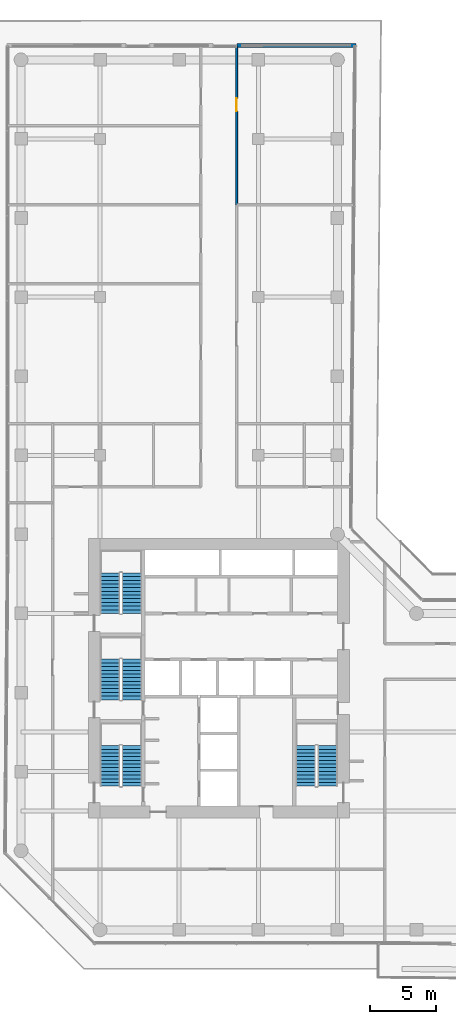
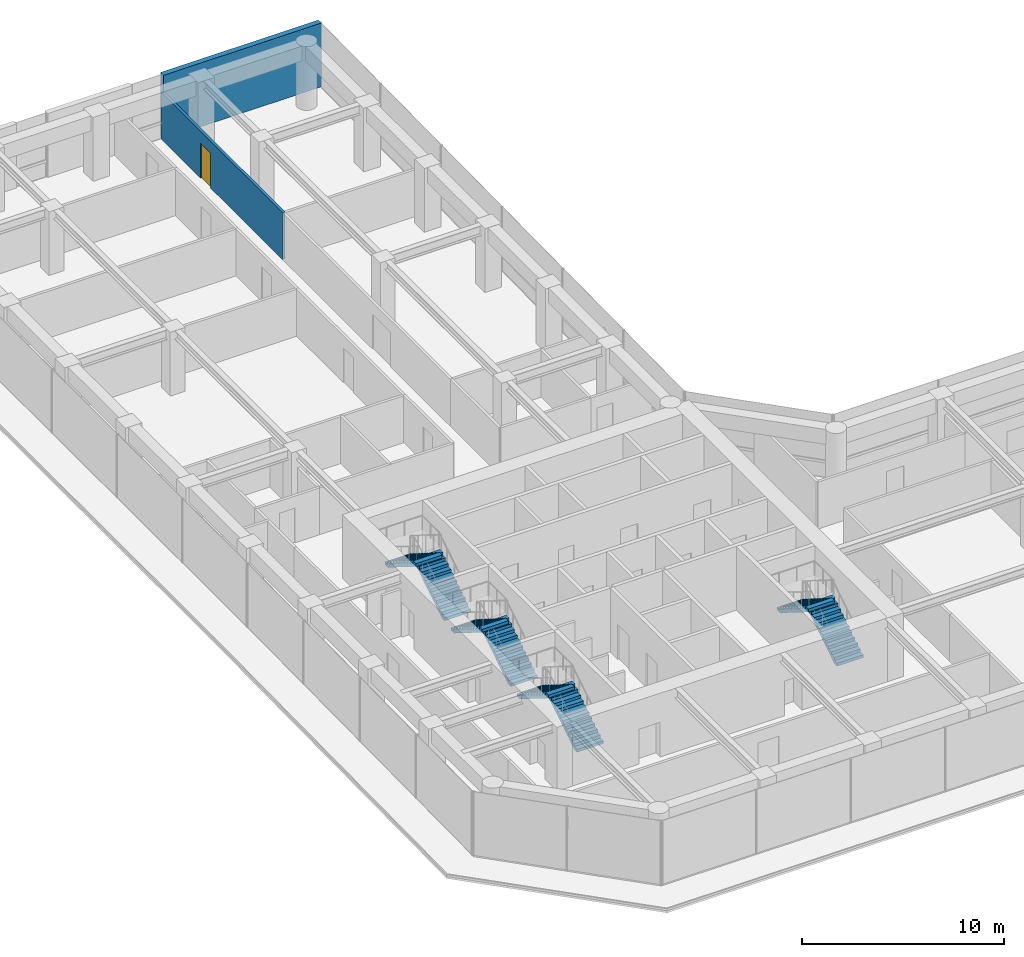
# One storey, part 27 of 29: 8 stair flights, 2 walls, 1 door, 1 opening, 4 elements without a shape of their own.
"""IFC4 building model written with IfcOpenShell, lengths in metres."""

from ifc_helpers import new_model, si_unit, direction, frame, frame_2d, origin, place, context, subcontext, project, spatial, polyline, rectangle, outline, extrude, material, layer, layer_set, type_object, element, fill, aggregate, save


model = new_model("IFC4")

# Units and contexts
model_context = context("Model", 3, precision=1e-05, world=origin(), true_north=direction((0.0, 1.0)))
body_context = subcontext(model_context, "Body", "Model", "MODEL_VIEW")
ifc_project = project(units=[si_unit("LENGTHUNIT", "METRE"), si_unit("AREAUNIT", "SQUARE_METRE"), si_unit("VOLUMEUNIT", "CUBIC_METRE"), si_unit("PLANEANGLEUNIT", "RADIAN"), si_unit("MASSUNIT", "GRAM", prefix="KILO")], contexts=[model_context])

# Site, building, storey
site_placement = place(None, origin())
site = spatial("IfcSite", under=ifc_project, at=site_placement, CompositionType="ELEMENT")
building_placement = place(site_placement, origin())
building = spatial("IfcBuilding", under=site, at=building_placement, Name="Welwitschia Terrace Campus", CompositionType="ELEMENT")
storey_placement = place(building_placement, frame((0.0, 0.0, 50.0)))
storey = spatial("IfcBuildingStorey", under=building, at=storey_placement, Name="L11", CompositionType="ELEMENT", Elevation=50.0)

# Wall, opening, door
ifc_material_1 = material(Name="Gypsum board on steel studs", Category="steel")
ifc_layer_1 = layer(ifc_material_1, 0.14990234375)
ifc_layer_set_1 = layer_set([ifc_layer_1], Name="Gypsum board on steel studs")
wall_type_1 = type_object("IfcWallType", Name="Corridor partition 150 EI 30", PredefinedType="PARTITIONING", material=ifc_layer_set_1)
wall_1_placement = place(storey_placement, frame((16.35009765625, 63.005126953125, 0.0), z_axis=(0.0, 0.0, 1.0), x_axis=(0.0, -1.0, 0.0)))
wall_1 = element("IfcWall", 1, at=wall_1_placement, inside=storey, type_object=wall_type_1, Name="Partition", PredefinedType="PARTITIONING", context=body_context, shape_type="SweptSolid", body=[
    extrude(rectangle(XDim=12.005126953125, YDim=0.14990234375, at=frame_2d((6.00244140625, 0.0))), origin(), (0.0, 0.0, 1.0), 2.830078125),
])
opening_placement = place(wall_1_placement, frame((3.905029296875, 0.0, 0.0)))
opening = element("IfcOpeningElement", 2, at=opening_placement, cuts=wall_1, Name="Opening DI10", PredefinedType="OPENING", context=body_context, shape_type="SweptSolid", body=[
    extrude(rectangle(XDim=1.0, YDim=2.10009765625, at=frame_2d((0.5, 1.050048828125))), frame((0.0, 0.0849609375, 0.0), z_axis=(0.0, -1.0, 0.0), x_axis=(1.0, 0.0, 0.0)), (0.0, 0.0, 1.0), 0.169921875),
])
ifc_material_2 = material(Name="Timber veneered door", Category="wood")
door_type = type_object("IfcDoorType", Name="Interior door DI10", OperationType="NOTDEFINED", PredefinedType="DOOR", material=ifc_material_2)
door_placement = place(opening_placement, origin())
door = element("IfcDoor", 3, at=door_placement, inside=storey, type_object=door_type, Name="Door L11 256", OperationType="SINGLE_SWING_LEFT", OverallHeight=2.10009765625, OverallWidth=1.0, PredefinedType="DOOR", context=body_context, shape_type="SweptSolid", body=[
    extrude(rectangle(XDim=1.0, YDim=2.10009765625, at=frame_2d((0.5, 1.050048828125))), frame((0.0, 0.02490234375, 0.0), z_axis=(0.0, -1.0, 0.0), x_axis=(1.0, 0.0, 0.0)), (0.0, 0.0, 1.0), 0.050048828125),
])
fill(opening, door)

# Wall
ifc_material_3 = material(Name="Concrete C40/50", Category="concrete")
ifc_layer_2 = layer(ifc_material_3, 0.300048828125)
ifc_layer_set_2 = layer_set([ifc_layer_2], Name="Concrete C40/50")
wall_type_2 = type_object("IfcWallType", Name="Mass wall 300", PredefinedType="SOLIDWALL", material=ifc_layer_set_2)
wall_2_placement = place(storey_placement, frame((25.396484375, 63.092041015625, 0.0), z_axis=(0.0, 0.0, 1.0), x_axis=(-0.999999752409, -0.000703691501, 0.0)))
element("IfcWall", 4, at=wall_2_placement, inside=storey, type_object=wall_type_2, Name="Mass wall L11.9.0", PredefinedType="SOLIDWALL", context=body_context, shape_type="SweptSolid", body=[
    extrude(rectangle(XDim=9.0205078125, YDim=0.300048828125, at=frame_2d((4.51025390625, 0.0))), origin(), (0.0, 0.0, 1.0), 3.85009765625),
])

# Stair, stair flights
ifc_material_4 = material(Name="Concrete C40/50", Category="concrete")
stair_type = type_object("IfcStairType", Name="Stair 24R 175 W1500", PredefinedType="HALF_TURN_STAIR", material=ifc_material_4)
stair_1_placement = place(storey_placement, origin())
stair_1 = element("IfcStair", 5, at=stair_1_placement, inside=storey, type_object=stair_type, Name="L11 Exit stair S1", PredefinedType="HALF_TURN_STAIR")
ifc_material_5 = material(Name="Concrete C40/50", Category="concrete")
stair_flight_type = type_object("IfcStairFlightType", Name="Stair flight 24R 175 W1500", PredefinedType="STRAIGHT", material=ifc_material_5)
stair_flight_1_placement = place(storey_placement, frame((8.39990234375, 6.89990234375, 0.0), z_axis=(0.0, 0.0, 1.0), x_axis=(0.0, 1.0, 0.0)))
stair_flight_1 = element("IfcStairFlight", 6, at=stair_flight_1_placement, type_object=stair_flight_type, Name="S1 flight 1", NumberOfRisers=12, NumberOfTreads=11, PredefinedType="STRAIGHT", RiserHeight=0.175, TreadLength=0.28, context=body_context, shape_type="SweptSolid", body=[
    extrude(outline(polyline([(0.0, 0.0), (0.0, 0.175048828125), (0.280029296875, 0.175048828125), (0.280029296875, 0.35009765625), (0.56005859375, 0.35009765625), (0.56005859375, 0.52490234375), (0.840087890625, 0.52490234375), (0.840087890625, 0.699951171875), (1.1201171875, 0.699951171875), (1.1201171875, 0.875), (1.39990234375, 0.875), (1.39990234375, 1.050048828125), (1.679931640625, 1.050048828125), (1.679931640625, 1.22509765625), (1.9599609375, 1.22509765625), (1.9599609375, 1.39990234375), (2.239990234375, 1.39990234375), (2.239990234375, 1.574951171875), (2.52001953125, 1.574951171875), (2.52001953125, 1.75), (2.800048828125, 1.75), (2.800048828125, 1.925048828125), (3.080078125, 1.925048828125), (3.080078125, 2.10009765625), (3.080078125, 1.748291015625), (0.28271484375, 0.0), (0.0, 0.0)])), frame((0.0, 0.75, 0.0), z_axis=(0.0, -1.0, 0.0), x_axis=(1.0, 0.0, 0.0)), (0.0, 0.0, 1.0), 1.5),
])
stair_flight_2_placement = place(storey_placement, frame((6.75, 9.97998046875, 2.10009765625), z_axis=(0.0, 0.0, 1.0), x_axis=(0.0, -1.0, 0.0)))
stair_flight_2 = element("IfcStairFlight", 7, at=stair_flight_2_placement, type_object=stair_flight_type, Name="S1 flight 2", NumberOfRisers=12, NumberOfTreads=11, PredefinedType="STRAIGHT", RiserHeight=0.175, TreadLength=0.28, context=body_context, shape_type="SweptSolid", body=[
    extrude(outline(polyline([(0.0, 0.0), (0.0, 0.175048828125), (0.280029296875, 0.175048828125), (0.280029296875, 0.35009765625), (0.56005859375, 0.35009765625), (0.56005859375, 0.52490234375), (0.840087890625, 0.52490234375), (0.840087890625, 0.699951171875), (1.1201171875, 0.699951171875), (1.1201171875, 0.875), (1.39990234375, 0.875), (1.39990234375, 1.050048828125), (1.679931640625, 1.050048828125), (1.679931640625, 1.22509765625), (1.9599609375, 1.22509765625), (1.9599609375, 1.39990234375), (2.239990234375, 1.39990234375), (2.239990234375, 1.574951171875), (2.52001953125, 1.574951171875), (2.52001953125, 1.75), (2.800048828125, 1.75), (2.800048828125, 1.925048828125), (3.080078125, 1.925048828125), (3.080078125, 2.10009765625), (3.080078125, 1.748291015625), (0.28271484375, 0.0), (0.0, 0.0)])), frame((0.0, 0.75, 0.0), z_axis=(0.0, -1.0, 0.0), x_axis=(1.0, 0.0, 0.0)), (0.0, 0.0, 1.0), 1.5),
])
aggregate(stair_1, [stair_flight_1, stair_flight_2])

stair_2_placement = place(storey_placement, origin())
stair_2 = element("IfcStair", 8, at=stair_2_placement, inside=storey, type_object=stair_type, Name="L11 Exit stair S3", PredefinedType="HALF_TURN_STAIR")
stair_flight_3_placement = place(storey_placement, frame((8.39990234375, 13.449951171875, 0.0), z_axis=(0.0, 0.0, 1.0), x_axis=(0.0, 1.0, 0.0)))
stair_flight_3 = element("IfcStairFlight", 9, at=stair_flight_3_placement, type_object=stair_flight_type, Name="S3 flight 1", NumberOfRisers=12, NumberOfTreads=11, PredefinedType="STRAIGHT", RiserHeight=0.175, TreadLength=0.28, context=body_context, shape_type="SweptSolid", body=[
    extrude(outline(polyline([(0.0, 0.0), (0.0, 0.175048828125), (0.280029296875, 0.175048828125), (0.280029296875, 0.35009765625), (0.56005859375, 0.35009765625), (0.56005859375, 0.52490234375), (0.840087890625, 0.52490234375), (0.840087890625, 0.699951171875), (1.1201171875, 0.699951171875), (1.1201171875, 0.875), (1.39990234375, 0.875), (1.39990234375, 1.050048828125), (1.679931640625, 1.050048828125), (1.679931640625, 1.22509765625), (1.9599609375, 1.22509765625), (1.9599609375, 1.39990234375), (2.239990234375, 1.39990234375), (2.239990234375, 1.574951171875), (2.52001953125, 1.574951171875), (2.52001953125, 1.75), (2.800048828125, 1.75), (2.800048828125, 1.925048828125), (3.080078125, 1.925048828125), (3.080078125, 2.10009765625), (3.080078125, 1.748291015625), (0.28271484375, 0.0), (0.0, 0.0)])), frame((0.0, 0.75, 0.0), z_axis=(0.0, -1.0, 0.0), x_axis=(1.0, 0.0, 0.0)), (0.0, 0.0, 1.0), 1.5),
])
stair_flight_4_placement = place(storey_placement, frame((6.75, 16.530029296875, 2.10009765625), z_axis=(0.0, 0.0, 1.0), x_axis=(0.0, -1.0, 0.0)))
stair_flight_4 = element("IfcStairFlight", 10, at=stair_flight_4_placement, type_object=stair_flight_type, Name="S3 flight 2", NumberOfRisers=12, NumberOfTreads=11, PredefinedType="STRAIGHT", RiserHeight=0.175, TreadLength=0.28, context=body_context, shape_type="SweptSolid", body=[
    extrude(outline(polyline([(0.0, 0.0), (0.0, 0.175048828125), (0.280029296875, 0.175048828125), (0.280029296875, 0.35009765625), (0.56005859375, 0.35009765625), (0.56005859375, 0.52490234375), (0.840087890625, 0.52490234375), (0.840087890625, 0.699951171875), (1.1201171875, 0.699951171875), (1.1201171875, 0.875), (1.39990234375, 0.875), (1.39990234375, 1.050048828125), (1.679931640625, 1.050048828125), (1.679931640625, 1.22509765625), (1.9599609375, 1.22509765625), (1.9599609375, 1.39990234375), (2.239990234375, 1.39990234375), (2.239990234375, 1.574951171875), (2.52001953125, 1.574951171875), (2.52001953125, 1.75), (2.800048828125, 1.75), (2.800048828125, 1.925048828125), (3.080078125, 1.925048828125), (3.080078125, 2.10009765625), (3.080078125, 1.748291015625), (0.28271484375, 0.0), (0.0, 0.0)])), frame((0.0, 0.75, 0.0), z_axis=(0.0, -1.0, 0.0), x_axis=(1.0, 0.0, 0.0)), (0.0, 0.0, 1.0), 1.5),
])
aggregate(stair_2, [stair_flight_3, stair_flight_4])

stair_3_placement = place(storey_placement, origin())
stair_3 = element("IfcStair", 11, at=stair_3_placement, inside=storey, type_object=stair_type, Name="L11 Exit stair S4", PredefinedType="HALF_TURN_STAIR")
stair_flight_5_placement = place(storey_placement, frame((8.39990234375, 20.0, 0.0), z_axis=(0.0, 0.0, 1.0), x_axis=(0.0, 1.0, 0.0)))
stair_flight_5 = element("IfcStairFlight", 12, at=stair_flight_5_placement, type_object=stair_flight_type, Name="S4 flight 1", NumberOfRisers=12, NumberOfTreads=11, PredefinedType="STRAIGHT", RiserHeight=0.175, TreadLength=0.28, context=body_context, shape_type="SweptSolid", body=[
    extrude(outline(polyline([(0.0, 0.0), (0.0, 0.175048828125), (0.280029296875, 0.175048828125), (0.280029296875, 0.35009765625), (0.56005859375, 0.35009765625), (0.56005859375, 0.52490234375), (0.840087890625, 0.52490234375), (0.840087890625, 0.699951171875), (1.1201171875, 0.699951171875), (1.1201171875, 0.875), (1.39990234375, 0.875), (1.39990234375, 1.050048828125), (1.679931640625, 1.050048828125), (1.679931640625, 1.22509765625), (1.9599609375, 1.22509765625), (1.9599609375, 1.39990234375), (2.239990234375, 1.39990234375), (2.239990234375, 1.574951171875), (2.52001953125, 1.574951171875), (2.52001953125, 1.75), (2.800048828125, 1.75), (2.800048828125, 1.925048828125), (3.080078125, 1.925048828125), (3.080078125, 2.10009765625), (3.080078125, 1.748291015625), (0.28271484375, 0.0), (0.0, 0.0)])), frame((0.0, 0.75, 0.0), z_axis=(0.0, -1.0, 0.0), x_axis=(1.0, 0.0, 0.0)), (0.0, 0.0, 1.0), 1.5),
])
stair_flight_6_placement = place(storey_placement, frame((6.75, 23.080078125, 2.10009765625), z_axis=(0.0, 0.0, 1.0), x_axis=(0.0, -1.0, 0.0)))
stair_flight_6 = element("IfcStairFlight", 13, at=stair_flight_6_placement, type_object=stair_flight_type, Name="S4 flight 2", NumberOfRisers=12, NumberOfTreads=11, PredefinedType="STRAIGHT", RiserHeight=0.175, TreadLength=0.28, context=body_context, shape_type="SweptSolid", body=[
    extrude(outline(polyline([(0.0, 0.0), (0.0, 0.175048828125), (0.280029296875, 0.175048828125), (0.280029296875, 0.35009765625), (0.56005859375, 0.35009765625), (0.56005859375, 0.52490234375), (0.840087890625, 0.52490234375), (0.840087890625, 0.699951171875), (1.1201171875, 0.699951171875), (1.1201171875, 0.875), (1.39990234375, 0.875), (1.39990234375, 1.050048828125), (1.679931640625, 1.050048828125), (1.679931640625, 1.22509765625), (1.9599609375, 1.22509765625), (1.9599609375, 1.39990234375), (2.239990234375, 1.39990234375), (2.239990234375, 1.574951171875), (2.52001953125, 1.574951171875), (2.52001953125, 1.75), (2.800048828125, 1.75), (2.800048828125, 1.925048828125), (3.080078125, 1.925048828125), (3.080078125, 2.10009765625), (3.080078125, 1.748291015625), (0.28271484375, 0.0), (0.0, 0.0)])), frame((0.0, 0.75, 0.0), z_axis=(0.0, -1.0, 0.0), x_axis=(1.0, 0.0, 0.0)), (0.0, 0.0, 1.0), 1.5),
])
aggregate(stair_3, [stair_flight_5, stair_flight_6])

stair_4_placement = place(storey_placement, origin())
stair_4 = element("IfcStair", 14, at=stair_4_placement, inside=storey, type_object=stair_type, Name="L11 Exit stair S2", PredefinedType="HALF_TURN_STAIR")
stair_flight_7_placement = place(storey_placement, frame((23.25, 6.89990234375, 0.0), z_axis=(0.0, 0.0, 1.0), x_axis=(0.0, 1.0, 0.0)))
stair_flight_7 = element("IfcStairFlight", 15, at=stair_flight_7_placement, type_object=stair_flight_type, Name="S2 flight 1", NumberOfRisers=12, NumberOfTreads=11, PredefinedType="STRAIGHT", RiserHeight=0.175, TreadLength=0.28, context=body_context, shape_type="SweptSolid", body=[
    extrude(outline(polyline([(0.0, 0.0), (0.0, 0.175048828125), (0.280029296875, 0.175048828125), (0.280029296875, 0.35009765625), (0.56005859375, 0.35009765625), (0.56005859375, 0.52490234375), (0.840087890625, 0.52490234375), (0.840087890625, 0.699951171875), (1.1201171875, 0.699951171875), (1.1201171875, 0.875), (1.39990234375, 0.875), (1.39990234375, 1.050048828125), (1.679931640625, 1.050048828125), (1.679931640625, 1.22509765625), (1.9599609375, 1.22509765625), (1.9599609375, 1.39990234375), (2.239990234375, 1.39990234375), (2.239990234375, 1.574951171875), (2.52001953125, 1.574951171875), (2.52001953125, 1.75), (2.800048828125, 1.75), (2.800048828125, 1.925048828125), (3.080078125, 1.925048828125), (3.080078125, 2.10009765625), (3.080078125, 1.748291015625), (0.28271484375, 0.0), (0.0, 0.0)])), frame((0.0, 0.75, 0.0), z_axis=(0.0, -1.0, 0.0), x_axis=(1.0, 0.0, 0.0)), (0.0, 0.0, 1.0), 1.5),
])
stair_flight_8_placement = place(storey_placement, frame((21.60009765625, 9.97998046875, 2.10009765625), z_axis=(0.0, 0.0, 1.0), x_axis=(0.0, -1.0, 0.0)))
stair_flight_8 = element("IfcStairFlight", 16, at=stair_flight_8_placement, type_object=stair_flight_type, Name="S2 flight 2", NumberOfRisers=12, NumberOfTreads=11, PredefinedType="STRAIGHT", RiserHeight=0.175, TreadLength=0.28, context=body_context, shape_type="SweptSolid", body=[
    extrude(outline(polyline([(0.0, 0.0), (0.0, 0.175048828125), (0.280029296875, 0.175048828125), (0.280029296875, 0.35009765625), (0.56005859375, 0.35009765625), (0.56005859375, 0.52490234375), (0.840087890625, 0.52490234375), (0.840087890625, 0.699951171875), (1.1201171875, 0.699951171875), (1.1201171875, 0.875), (1.39990234375, 0.875), (1.39990234375, 1.050048828125), (1.679931640625, 1.050048828125), (1.679931640625, 1.22509765625), (1.9599609375, 1.22509765625), (1.9599609375, 1.39990234375), (2.239990234375, 1.39990234375), (2.239990234375, 1.574951171875), (2.52001953125, 1.574951171875), (2.52001953125, 1.75), (2.800048828125, 1.75), (2.800048828125, 1.925048828125), (3.080078125, 1.925048828125), (3.080078125, 2.10009765625), (3.080078125, 1.748291015625), (0.28271484375, 0.0), (0.0, 0.0)])), frame((0.0, 0.75, 0.0), z_axis=(0.0, -1.0, 0.0), x_axis=(1.0, 0.0, 0.0)), (0.0, 0.0, 1.0), 1.5),
])
aggregate(stair_4, [stair_flight_7, stair_flight_8])

save(model, "model.ifc")
